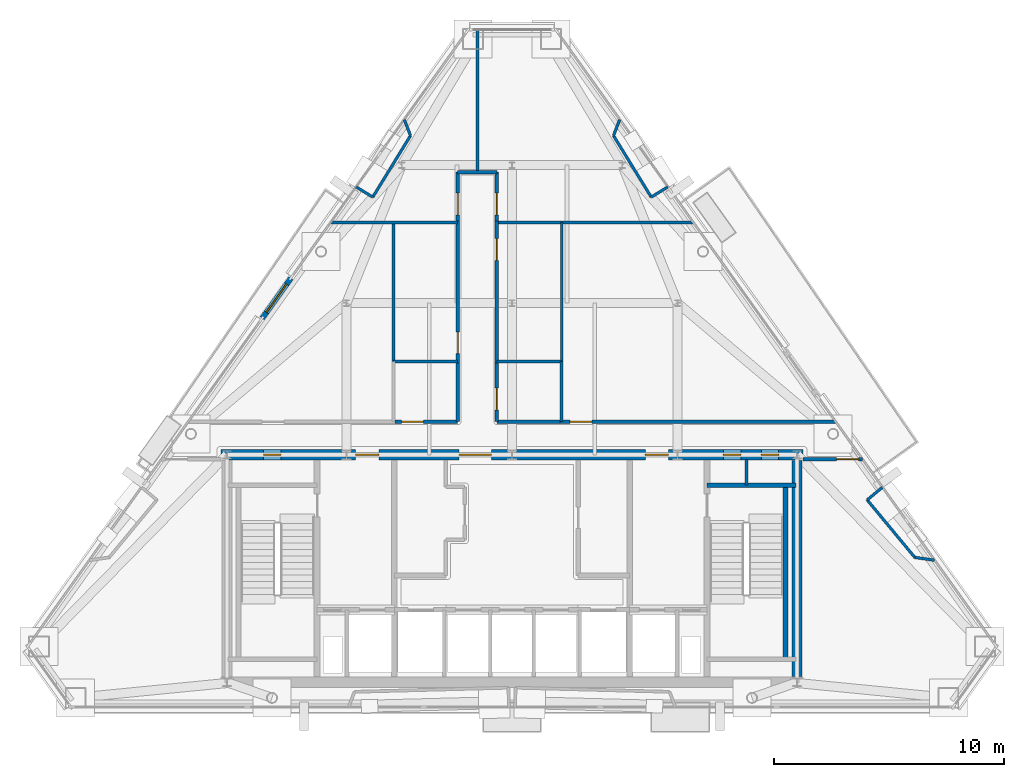
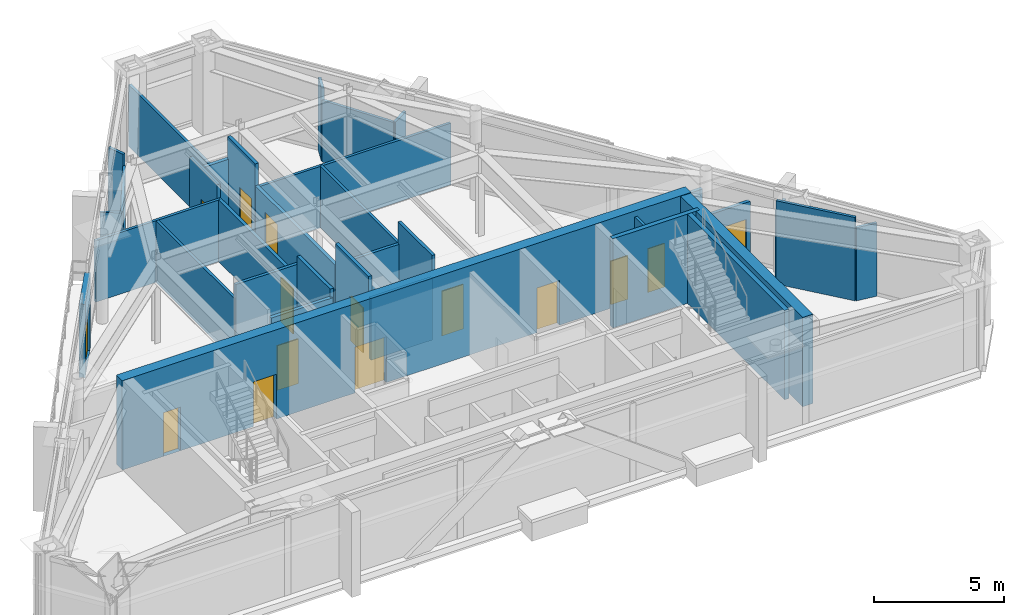
# One storey, part 7 of 10: 34 walls, 15 doors, 15 openings.
"""IFC4 building model written with IfcOpenShell, lengths in metres."""

from ifc_helpers import new_model, si_unit, direction, frame, frame_2d, origin, place, context, subcontext, project, spatial, rectangle, extrude, material, layer, layer_set, type_object, element, fill, save


model = new_model("IFC4")

# Units and contexts
model_context = context("Model", 3, precision=1e-05, world=origin(), true_north=direction((0.0, 1.0)))
body_context = subcontext(model_context, "Body", "Model", "MODEL_VIEW")
ifc_project = project(units=[si_unit("LENGTHUNIT", "METRE"), si_unit("AREAUNIT", "SQUARE_METRE"), si_unit("VOLUMEUNIT", "CUBIC_METRE"), si_unit("PLANEANGLEUNIT", "RADIAN"), si_unit("MASSUNIT", "GRAM", prefix="KILO")], contexts=[model_context])

# Site, building, storey
site_placement = place(None, origin())
site = spatial("IfcSite", under=ifc_project, at=site_placement, CompositionType="ELEMENT")
building_placement = place(site_placement, origin())
building = spatial("IfcBuilding", under=site, at=building_placement, Name="Talgorran Terracotta Tower", CompositionType="ELEMENT")
storey_placement = place(building_placement, frame((0.0, 0.0, 289.199951171875)))
storey = spatial("IfcBuildingStorey", under=building, at=storey_placement, Name="L76", CompositionType="ELEMENT", Elevation=289.199951171875)

# Wall, opening, door
ifc_material_1 = material(Name="Concrete C40/50", Category="concrete")
ifc_layer_1 = layer(ifc_material_1, 0.239990234375, Name="WT_BALCONY_SPAND")
ifc_layer_set_1 = layer_set([ifc_layer_1], Name="Concrete C40/50")
wall_type_1 = type_object("IfcWallType", Name="WT_BALCONY_SPAND", PredefinedType="STANDARD", material=ifc_layer_set_1)
wall_1_placement = place(storey_placement, frame((-9.623291015625, 3.482421875, -0.014892578125), z_axis=(0.0, 0.0, 1.0), x_axis=(-0.581238193719, -0.813733471207, 0.0)))
wall_1 = element("IfcWall", 1, at=wall_1_placement, inside=storey, type_object=wall_type_1, Name="WL-L76-BALP-BAL-NW", PredefinedType="STANDARD", context=body_context, shape_type="SweptSolid", body=[
    extrude(rectangle(XDim=2.14013671875, YDim=0.239990234375, at=frame_2d((1.070068359375, 0.0))), origin(), (0.0, 0.0, 1.0), 3.452880859375),
])
opening_1_placement = place(wall_1_placement, frame((0.320068359375, 0.0, 0.014892578125)))
opening_1 = element("IfcOpeningElement", 2, at=opening_1_placement, cuts=wall_1, Name="Opening D-BAL-L76-2", PredefinedType="OPENING", context=body_context, shape_type="SweptSolid", body=[
    extrude(rectangle(XDim=1.506, YDim=2.203951171875, at=frame_2d((0.75, 1.10205078125))), frame((0.0, 0.1298828125, 0.0), z_axis=(0.0, -1.0, 0.0), x_axis=(1.0, 0.0, 0.0)), (0.0, 0.0, 1.0), 0.260009765625),
])
ifc_material_2 = material(Name="Thermally Broken Aluminium", Category="aluminium")
door_type_1 = type_object("IfcDoorType", Name="DT_BALC_1500", OperationType="SLIDING_TO_RIGHT", PredefinedType="DOOR", material=ifc_material_2)
door_1_placement = place(opening_1_placement, origin())
door_1 = element("IfcDoor", 3, at=door_1_placement, inside=storey, type_object=door_type_1, Name="DR-L76-BAL-BAL-NW", OperationType="SLIDING_TO_RIGHT", OverallHeight=2.199951171875, OverallWidth=1.5, PredefinedType="DOOR", context=body_context, shape_type="SweptSolid", body=[
    extrude(rectangle(XDim=1.5, YDim=2.199951171875, at=frame_2d((0.75, 1.10009765625))), frame((0.0, 0.02490234375, 0.0), z_axis=(0.0, -1.0, 0.0), x_axis=(1.0, 0.0, 0.0)), (0.0, 0.0, 1.0), 0.050048828125),
])
fill(opening_1, door_1)

# Walls
ifc_material_3 = material(Name="Concrete C50/60", Category="concrete")
ifc_layer_2 = layer(ifc_material_3, 0.199951171875, Name="WT_CORE_200")
ifc_layer_set_2 = layer_set([ifc_layer_2], Name="Concrete C50/60")
wall_type_2 = type_object("IfcWallType", Name="WT_CORE_200", PredefinedType="SOLIDWALL", material=ifc_layer_set_2)
wall_2_placement = place(storey_placement, frame((8.47998046875, -5.52001953125, 0.0), z_axis=(0.0, 0.0, 1.0), x_axis=(1.0, 0.0, 0.0)))
element("IfcWall", 4, at=wall_2_placement, inside=storey, type_object=wall_type_2, Name="WL-L76-CW-ST2-N", PredefinedType="SOLIDWALL", context=body_context, shape_type="SweptSolid", body=[
    extrude(rectangle(XDim=3.8701171875, YDim=0.199951171875, at=frame_2d((1.93505859375, 0.0))), origin(), (0.0, 0.0, 1.0), 4.199951171875),
])
wall_3_placement = place(storey_placement, frame((11.89990234375, -13.10009765625, 0.0), z_axis=(0.0, 0.0, 1.0), x_axis=(0.0, 1.0, 0.0)))
element("IfcWall", 5, at=wall_3_placement, inside=storey, type_object=wall_type_2, Name="WL-L76-CW-ST2-E", PredefinedType="SOLIDWALL", context=body_context, shape_type="SweptSolid", body=[
    extrude(rectangle(XDim=7.580078125, YDim=0.199951171875, at=frame_2d((3.7900390625, 0.0))), origin(), (0.0, 0.0, 1.0), 4.199951171875),
])

# Wall, openings, doors
ifc_material_4 = material(Name="Concrete C65/80", Category="concrete")
ifc_layer_3 = layer(ifc_material_4, 0.449951171875, Name="WT_CORE_EXT")
ifc_layer_set_3 = layer_set([ifc_layer_3], Name="Concrete C65/80")
wall_type_3 = type_object("IfcWallType", Name="WT_CORE_EXT", PredefinedType="SHEAR", material=ifc_layer_set_3)
wall_4_placement = place(storey_placement, frame((-12.64990234375, -4.199951171875, 0.0), z_axis=(0.0, 0.0, 1.0), x_axis=(1.0, 0.0, 0.0)))
wall_4 = element("IfcWall", 6, at=wall_4_placement, inside=storey, type_object=wall_type_3, Name="WL-L76-CW-OUT-N", PredefinedType="SHEAR", context=body_context, shape_type="SweptSolid", body=[
    extrude(rectangle(XDim=25.2998046875, YDim=0.449951171875, at=frame_2d((12.64990234375, 0.0))), origin(), (0.0, 0.0, 1.0), 4.199951171875),
])
opening_2_placement = place(wall_4_placement, frame((1.85009765625, 0.0, 0.0)))
opening_2 = element("IfcOpeningElement", 7, at=opening_2_placement, cuts=wall_4, Name="Opening DR-CSN1", PredefinedType="OPENING", context=body_context, shape_type="SweptSolid", body=[
    extrude(rectangle(XDim=0.756, YDim=2.054048828125, at=frame_2d((0.375, 1.027099609375))), frame((0.0, 0.23486328125, 0.0), z_axis=(0.0, -1.0, 0.0), x_axis=(1.0, 0.0, 0.0)), (0.0, 0.0, 1.0), 0.469970703125),
])
opening_3_placement = place(wall_4_placement, frame((21.85009765625, 0.0, 0.0)))
opening_3 = element("IfcOpeningElement", 8, at=opening_3_placement, cuts=wall_4, Name="Opening DR-CSN2", PredefinedType="OPENING", context=body_context, shape_type="SweptSolid", body=[
    extrude(rectangle(XDim=0.756, YDim=2.054048828125, at=frame_2d((0.375, 1.027099609375))), frame((0.0, 0.23486328125, 0.0), z_axis=(0.0, -1.0, 0.0), x_axis=(1.0, 0.0, 0.0)), (0.0, 0.0, 1.0), 0.469970703125),
])
opening_4_placement = place(wall_4_placement, frame((23.5, 0.0, 0.0)))
opening_4 = element("IfcOpeningElement", 9, at=opening_4_placement, cuts=wall_4, Name="Opening DR-CSN3", PredefinedType="OPENING", context=body_context, shape_type="SweptSolid", body=[
    extrude(rectangle(XDim=0.756, YDim=2.054048828125, at=frame_2d((0.375, 1.027099609375))), frame((0.0, 0.23486328125, 0.0), z_axis=(0.0, -1.0, 0.0), x_axis=(1.0, 0.0, 0.0)), (0.0, 0.0, 1.0), 0.469970703125),
])
opening_5_placement = place(wall_4_placement, frame((5.85009765625, 0.0, 0.0)))
opening_5 = element("IfcOpeningElement", 10, at=opening_5_placement, cuts=wall_4, Name="Opening DR-FFLW-N", PredefinedType="OPENING", context=body_context, shape_type="SweptSolid", body=[
    extrude(rectangle(XDim=1.006, YDim=2.10409765625, at=frame_2d((0.5, 1.052001953125))), frame((0.0, 0.23486328125, 0.0), z_axis=(0.0, -1.0, 0.0), x_axis=(1.0, 0.0, 0.0)), (0.0, 0.0, 1.0), 0.469970703125),
])
opening_6_placement = place(wall_4_placement, frame((10.35009765625, 0.0, 0.0)))
opening_6 = element("IfcOpeningElement", 11, at=opening_6_placement, cuts=wall_4, Name="Opening DR-PLL-N", PredefinedType="OPENING", context=body_context, shape_type="SweptSolid", body=[
    extrude(rectangle(XDim=1.40590234375, YDim=2.15390234375, at=frame_2d((0.699951171875, 1.076904296875))), frame((0.0, 0.23486328125, 0.0), z_axis=(0.0, -1.0, 0.0), x_axis=(1.0, 0.0, 0.0)), (0.0, 0.0, 1.0), 0.469970703125),
])
opening_7_placement = place(wall_4_placement, frame((18.449951171875, 0.0, 0.0)))
opening_7 = element("IfcOpeningElement", 12, at=opening_7_placement, cuts=wall_4, Name="Opening DR-FFLE-N", PredefinedType="OPENING", context=body_context, shape_type="SweptSolid", body=[
    extrude(rectangle(XDim=1.006, YDim=2.10409765625, at=frame_2d((0.5, 1.052001953125))), frame((0.0, 0.23486328125, 0.0), z_axis=(0.0, -1.0, 0.0), x_axis=(1.0, 0.0, 0.0)), (0.0, 0.0, 1.0), 0.469970703125),
])
ifc_material_5 = material(Name="Acoustic Glazed Timber", Category="wood")
door_type_2 = type_object("IfcDoorType", Name="DT_DOUBLE_1400", OperationType="DOUBLE_DOOR_SINGLE_SWING", PredefinedType="DOOR", material=ifc_material_5)
door_2_placement = place(opening_6_placement, origin())
door_2 = element("IfcDoor", 13, at=door_2_placement, inside=storey, type_object=door_type_2, Name="DR-PLL-N", OperationType="DOUBLE_DOOR_SINGLE_SWING", OverallHeight=2.14990234375, OverallWidth=1.39990234375, PredefinedType="DOOR", context=body_context, shape_type="SweptSolid", body=[
    extrude(rectangle(XDim=1.39990234375, YDim=2.14990234375, at=frame_2d((0.699951171875, 1.074951171875))), frame((0.0, 0.02490234375, 0.0), z_axis=(0.0, -1.0, 0.0), x_axis=(1.0, 0.0, 0.0)), (0.0, 0.0, 1.0), 0.050048828125),
])
fill(opening_6, door_2)
ifc_material_6 = material(Name="Fire-Rated Pressed Steel", Category="steel")
door_type_3 = type_object("IfcDoorType", Name="DT_FIRE_1000", OperationType="NOTDEFINED", PredefinedType="DOOR", material=ifc_material_6)
door_3_placement = place(opening_5_placement, origin())
door_3 = element("IfcDoor", 14, at=door_3_placement, inside=storey, type_object=door_type_3, Name="DR-FFLW-N", OperationType="SINGLE_SWING_LEFT", OverallHeight=2.10009765625, OverallWidth=1.0, PredefinedType="DOOR", context=body_context, shape_type="SweptSolid", body=[
    extrude(rectangle(XDim=1.0, YDim=2.10009765625, at=frame_2d((0.5, 1.050048828125))), frame((0.0, 0.02490234375, 0.0), z_axis=(0.0, -1.0, 0.0), x_axis=(1.0, 0.0, 0.0)), (0.0, 0.0, 1.0), 0.050048828125),
])
fill(opening_5, door_3)
door_4_placement = place(opening_7_placement, origin())
door_4 = element("IfcDoor", 15, at=door_4_placement, inside=storey, type_object=door_type_3, Name="DR-FFLE-N", OperationType="SINGLE_SWING_RIGHT", OverallHeight=2.10009765625, OverallWidth=1.0, PredefinedType="DOOR", context=body_context, shape_type="SweptSolid", body=[
    extrude(rectangle(XDim=1.0, YDim=2.10009765625, at=frame_2d((0.5, 1.050048828125))), frame((0.0, 0.02490234375, 0.0), z_axis=(0.0, -1.0, 0.0), x_axis=(1.0, 0.0, 0.0)), (0.0, 0.0, 1.0), 0.050048828125),
])
fill(opening_7, door_4)
door_type_4 = type_object("IfcDoorType", Name="DT_RISER_750", OperationType="NOTDEFINED", PredefinedType="DOOR", material=ifc_material_6)
door_5_placement = place(opening_2_placement, origin())
door_5 = element("IfcDoor", 16, at=door_5_placement, inside=storey, type_object=door_type_4, Name="DR-CSN1", OperationType="SINGLE_SWING_LEFT", OverallHeight=2.050048828125, OverallWidth=0.75, PredefinedType="DOOR", context=body_context, shape_type="SweptSolid", body=[
    extrude(rectangle(XDim=0.75, YDim=2.050048828125, at=frame_2d((0.375, 1.02490234375))), frame((0.0, 0.02490234375, 0.0), z_axis=(0.0, -1.0, 0.0), x_axis=(1.0, 0.0, 0.0)), (0.0, 0.0, 1.0), 0.050048828125),
])
fill(opening_2, door_5)
door_6_placement = place(opening_3_placement, origin())
door_6 = element("IfcDoor", 17, at=door_6_placement, inside=storey, type_object=door_type_4, Name="DR-CSN2", OperationType="SINGLE_SWING_LEFT", OverallHeight=2.050048828125, OverallWidth=0.75, PredefinedType="DOOR", context=body_context, shape_type="SweptSolid", body=[
    extrude(rectangle(XDim=0.75, YDim=2.050048828125, at=frame_2d((0.375, 1.02490234375))), frame((0.0, 0.02490234375, 0.0), z_axis=(0.0, -1.0, 0.0), x_axis=(1.0, 0.0, 0.0)), (0.0, 0.0, 1.0), 0.050048828125),
])
fill(opening_3, door_6)
door_7_placement = place(opening_4_placement, origin())
door_7 = element("IfcDoor", 18, at=door_7_placement, inside=storey, type_object=door_type_4, Name="DR-CSN3", OperationType="SINGLE_SWING_RIGHT", OverallHeight=2.050048828125, OverallWidth=0.75, PredefinedType="DOOR", context=body_context, shape_type="SweptSolid", body=[
    extrude(rectangle(XDim=0.75, YDim=2.050048828125, at=frame_2d((0.375, 1.02490234375))), frame((0.0, 0.02490234375, 0.0), z_axis=(0.0, -1.0, 0.0), x_axis=(1.0, 0.0, 0.0)), (0.0, 0.0, 1.0), 0.050048828125),
])
fill(opening_4, door_7)

# Wall
wall_5_placement = place(storey_placement, frame((12.39990234375, -13.85009765625, 0.0), z_axis=(0.0, 0.0, 1.0), x_axis=(0.0, 1.0, 0.0)))
element("IfcWall", 19, at=wall_5_placement, inside=storey, type_object=wall_type_3, Name="WL-L76-CW-OUT-E", PredefinedType="SHEAR", context=body_context, shape_type="SweptSolid", body=[
    extrude(rectangle(XDim=9.400146484375, YDim=0.449951171875, at=frame_2d((4.7001953125, 0.0))), origin(), (0.0, 0.0, 1.0), 4.199951171875),
])

# Wall, opening, door
ifc_material_7 = material(Name="Fire-Rated Steel Stud Plasterboard", Category="steel")
ifc_layer_4 = layer(ifc_material_7, 0.14990234375, Name="WT_FIRE_150")
ifc_layer_set_4 = layer_set([ifc_layer_4], Name="Fire-Rated Steel Stud Plasterboard")
wall_type_4 = type_object("IfcWallType", Name="WT_FIRE_150", PredefinedType="PARTITIONING", material=ifc_layer_set_4)
wall_6_placement = place(storey_placement, frame((2.080078125, -2.760009765625, 0.0), z_axis=(0.0, 0.0, 1.0), x_axis=(1.0, 0.0, 0.0)))
wall_6 = element("IfcWall", 20, at=wall_6_placement, inside=storey, type_object=wall_type_4, Name="WL-L76-W-L76-R09", PredefinedType="PARTITIONING", context=body_context, shape_type="SweptSolid", body=[
    extrude(rectangle(XDim=12.002197265625, YDim=0.14990234375, at=frame_2d((6.0009765625, 0.0))), origin(), (0.0, 0.0, 1.0), 2.89501953125),
])
opening_8_placement = place(wall_6_placement, frame((0.439697265625, 0.0, 0.0)))
opening_8 = element("IfcOpeningElement", 21, at=opening_8_placement, cuts=wall_6, Name="Opening DR-L76-R07", PredefinedType="OPENING", context=body_context, shape_type="SweptSolid", body=[
    extrude(rectangle(XDim=0.955951171875, YDim=2.10409765625, at=frame_2d((0.47509765625, 1.052001953125))), frame((0.0, 0.0849609375, 0.0), z_axis=(0.0, -1.0, 0.0), x_axis=(1.0, 0.0, 0.0)), (0.0, 0.0, 1.0), 0.169921875),
])
ifc_material_8 = material(Name="Fire-Rated Timber Core", Category="wood")
door_type_5 = type_object("IfcDoorType", Name="DT_FIRE_950", OperationType="NOTDEFINED", PredefinedType="DOOR", material=ifc_material_8)
door_8_placement = place(opening_8_placement, origin())
door_8 = element("IfcDoor", 22, at=door_8_placement, inside=storey, type_object=door_type_5, Name="DR-L76-R07", OperationType="SINGLE_SWING_LEFT", OverallHeight=2.10009765625, OverallWidth=0.949951171875, PredefinedType="DOOR", context=body_context, shape_type="SweptSolid", body=[
    extrude(rectangle(XDim=0.949951171875, YDim=2.10009765625, at=frame_2d((0.47509765625, 1.050048828125))), frame((0.0, 0.02490234375, 0.0), z_axis=(0.0, -1.0, 0.0), x_axis=(1.0, 0.0, 0.0)), (0.0, 0.0, 1.0), 0.050048828125),
])
fill(opening_8, door_8)

wall_7_placement = place(storey_placement, frame((-2.360107421875, -0.199951171875, 0.0), z_axis=(0.0, 0.0, 1.0), x_axis=(0.0, 1.0, 0.0)))
wall_7 = element("IfcWall", 23, at=wall_7_placement, inside=storey, type_object=wall_type_4, Name="WL-L76-W-L76-R08", PredefinedType="PARTITIONING", context=body_context, shape_type="SweptSolid", body=[
    extrude(rectangle(XDim=6.159912109375, YDim=0.14990234375, at=frame_2d((3.080078125, 0.0))), origin(), (0.0, 0.0, 1.0), 2.89501953125),
])
opening_9_placement = place(wall_7_placement, frame((0.398193359375, 0.0, 0.0)))
opening_9 = element("IfcOpeningElement", 24, at=opening_9_placement, cuts=wall_7, Name="Opening DR-L76-R06", PredefinedType="OPENING", context=body_context, shape_type="SweptSolid", body=[
    extrude(rectangle(XDim=0.955951171875, YDim=2.10409765625, at=frame_2d((0.47509765625, 1.052001953125))), frame((0.0, 0.0849609375, 0.0), z_axis=(0.0, -1.0, 0.0), x_axis=(1.0, 0.0, 0.0)), (0.0, 0.0, 1.0), 0.169921875),
])
door_9_placement = place(opening_9_placement, origin())
door_9 = element("IfcDoor", 25, at=door_9_placement, inside=storey, type_object=door_type_5, Name="DR-L76-R06", OperationType="SINGLE_SWING_RIGHT", OverallHeight=2.10009765625, OverallWidth=0.949951171875, PredefinedType="DOOR", context=body_context, shape_type="SweptSolid", body=[
    extrude(rectangle(XDim=0.949951171875, YDim=2.10009765625, at=frame_2d((0.47509765625, 1.050048828125))), frame((0.0, 0.02490234375, 0.0), z_axis=(0.0, -1.0, 0.0), x_axis=(1.0, 0.0, 0.0)), (0.0, 0.0, 1.0), 0.050048828125),
])
fill(opening_9, door_9)

wall_8_placement = place(storey_placement, frame((-0.659912109375, -0.199951171875, 0.0), z_axis=(0.0, 0.0, 1.0), x_axis=(0.0, 1.0, 0.0)))
wall_8 = element("IfcWall", 26, at=wall_8_placement, inside=storey, type_object=wall_type_4, Name="WL-L76-W-L76-R10", PredefinedType="PARTITIONING", context=body_context, shape_type="SweptSolid", body=[
    extrude(rectangle(XDim=6.159912109375, YDim=0.14990234375, at=frame_2d((3.080078125, 0.0))), origin(), (0.0, 0.0, 1.0), 2.89501953125),
])
opening_10_placement = place(wall_8_placement, frame((4.453857421875, 0.0, 0.0)))
opening_10 = element("IfcOpeningElement", 27, at=opening_10_placement, cuts=wall_8, Name="Opening DR-L76-R08", PredefinedType="OPENING", context=body_context, shape_type="SweptSolid", body=[
    extrude(rectangle(XDim=0.955951171875, YDim=2.10409765625, at=frame_2d((0.47509765625, 1.052001953125))), frame((0.0, 0.0849609375, 0.0), z_axis=(0.0, -1.0, 0.0), x_axis=(1.0, 0.0, 0.0)), (0.0, 0.0, 1.0), 0.169921875),
])
door_10_placement = place(opening_10_placement, origin())
door_10 = element("IfcDoor", 28, at=door_10_placement, inside=storey, type_object=door_type_5, Name="DR-L76-R08", OperationType="SINGLE_SWING_RIGHT", OverallHeight=2.10009765625, OverallWidth=0.949951171875, PredefinedType="DOOR", context=body_context, shape_type="SweptSolid", body=[
    extrude(rectangle(XDim=0.949951171875, YDim=2.10009765625, at=frame_2d((0.47509765625, 1.050048828125))), frame((0.0, 0.02490234375, 0.0), z_axis=(0.0, -1.0, 0.0), x_axis=(1.0, 0.0, 0.0)), (0.0, 0.0, 1.0), 0.050048828125),
])
fill(opening_10, door_10)

# Wall
wall_9_placement = place(storey_placement, frame((-0.659912109375, -2.760009765625, 0.0), z_axis=(0.0, 0.0, 1.0), x_axis=(1.0, 0.0, 0.0)))
element("IfcWall", 29, at=wall_9_placement, inside=storey, type_object=wall_type_4, Name="WL-L76-W-L76-R04", PredefinedType="PARTITIONING", context=body_context, shape_type="SweptSolid", body=[
    extrude(rectangle(XDim=2.73779296875, YDim=0.14990234375, at=frame_2d((1.368896484375, 0.0))), origin(), (0.0, 0.0, 1.0), 2.89501953125),
])

# Wall, opening, door
wall_10_placement = place(storey_placement, frame((-5.097900390625, -2.760009765625, 0.0), z_axis=(0.0, 0.0, 1.0), x_axis=(1.0, 0.0, 0.0)))
wall_10 = element("IfcWall", 30, at=wall_10_placement, inside=storey, type_object=wall_type_4, Name="WL-L76-W-L76-R05", PredefinedType="PARTITIONING", context=body_context, shape_type="SweptSolid", body=[
    extrude(rectangle(XDim=2.73779296875, YDim=0.14990234375, at=frame_2d((1.368896484375, 0.0))), origin(), (0.0, 0.0, 1.0), 3.53955078125),
])
opening_11_placement = place(wall_10_placement, frame((0.29296875, 0.0, 0.0)))
opening_11 = element("IfcOpeningElement", 31, at=opening_11_placement, cuts=wall_10, Name="Opening DR-L76-R04", PredefinedType="OPENING", context=body_context, shape_type="SweptSolid", body=[
    extrude(rectangle(XDim=0.955951171875, YDim=2.10409765625, at=frame_2d((0.47509765625, 1.052001953125))), frame((0.0, 0.0849609375, 0.0), z_axis=(0.0, -1.0, 0.0), x_axis=(1.0, 0.0, 0.0)), (0.0, 0.0, 1.0), 0.169921875),
])
door_11_placement = place(opening_11_placement, origin())
door_11 = element("IfcDoor", 32, at=door_11_placement, inside=storey, type_object=door_type_5, Name="DR-L76-R04", OperationType="SINGLE_SWING_RIGHT", OverallHeight=2.10009765625, OverallWidth=0.949951171875, PredefinedType="DOOR", context=body_context, shape_type="SweptSolid", body=[
    extrude(rectangle(XDim=0.949951171875, YDim=2.10009765625, at=frame_2d((0.47509765625, 1.050048828125))), frame((0.0, 0.02490234375, 0.0), z_axis=(0.0, -1.0, 0.0), x_axis=(1.0, 0.0, 0.0)), (0.0, 0.0, 1.0), 0.050048828125),
])
fill(opening_11, door_11)

wall_11_placement = place(storey_placement, frame((12.652099609375, -4.39990234375, 0.0), z_axis=(0.0, 0.0, 1.0), x_axis=(1.0, 0.0, 0.0)))
wall_11 = element("IfcWall", 33, at=wall_11_placement, inside=storey, type_object=wall_type_4, Name="WL-L76-W-L76-R02", PredefinedType="PARTITIONING", context=body_context, shape_type="SweptSolid", body=[
    extrude(rectangle(XDim=2.601806640625, YDim=0.14990234375, at=frame_2d((1.30078125, 0.0))), origin(), (0.0, 0.0, 1.0), 2.89501953125),
])
opening_12_placement = place(wall_11_placement, frame((1.47802734375, 0.0, 0.0)))
opening_12 = element("IfcOpeningElement", 34, at=opening_12_placement, cuts=wall_11, Name="Opening DR-L76-R02", PredefinedType="OPENING", context=body_context, shape_type="SweptSolid", body=[
    extrude(rectangle(XDim=0.955951171875, YDim=2.10409765625, at=frame_2d((0.47509765625, 1.052001953125))), frame((0.0, 0.0849609375, 0.0), z_axis=(0.0, -1.0, 0.0), x_axis=(1.0, 0.0, 0.0)), (0.0, 0.0, 1.0), 0.169921875),
])
door_12_placement = place(opening_12_placement, origin())
door_12 = element("IfcDoor", 35, at=door_12_placement, inside=storey, type_object=door_type_5, Name="DR-L76-R02", OperationType="SINGLE_SWING_RIGHT", OverallHeight=2.10009765625, OverallWidth=0.949951171875, PredefinedType="DOOR", context=body_context, shape_type="SweptSolid", body=[
    extrude(rectangle(XDim=0.949951171875, YDim=2.10009765625, at=frame_2d((0.47509765625, 1.050048828125))), frame((0.0, 0.02490234375, 0.0), z_axis=(0.0, -1.0, 0.0), x_axis=(1.0, 0.0, 0.0)), (0.0, 0.0, 1.0), 0.050048828125),
])
fill(opening_12, door_12)

wall_12_placement = place(storey_placement, frame((-0.659912109375, -2.760009765625, 0.0), z_axis=(0.0, 0.0, 1.0), x_axis=(0.0, 1.0, 0.0)))
wall_12 = element("IfcWall", 36, at=wall_12_placement, inside=storey, type_object=wall_type_4, Name="WL-L76-W-L76-R03", PredefinedType="PARTITIONING", context=body_context, shape_type="SweptSolid", body=[
    extrude(rectangle(XDim=2.55810546875, YDim=0.14990234375, at=frame_2d((1.279052734375, 0.0))), origin(), (0.0, 0.0, 1.0), 3.920166015625),
])
opening_13_placement = place(wall_12_placement, frame((0.51220703125, 0.0, 0.0)))
opening_13 = element("IfcOpeningElement", 37, at=opening_13_placement, cuts=wall_12, Name="Opening DR-L76-R03", PredefinedType="OPENING", context=body_context, shape_type="SweptSolid", body=[
    extrude(rectangle(XDim=0.955951171875, YDim=2.10409765625, at=frame_2d((0.47509765625, 1.052001953125))), frame((0.0, 0.0849609375, 0.0), z_axis=(0.0, -1.0, 0.0), x_axis=(1.0, 0.0, 0.0)), (0.0, 0.0, 1.0), 0.169921875),
])
door_13_placement = place(opening_13_placement, origin())
door_13 = element("IfcDoor", 38, at=door_13_placement, inside=storey, type_object=door_type_5, Name="DR-L76-R03", OperationType="SINGLE_SWING_LEFT", OverallHeight=2.10009765625, OverallWidth=0.949951171875, PredefinedType="DOOR", context=body_context, shape_type="SweptSolid", body=[
    extrude(rectangle(XDim=0.949951171875, YDim=2.10009765625, at=frame_2d((0.47509765625, 1.050048828125))), frame((0.0, 0.02490234375, 0.0), z_axis=(0.0, -1.0, 0.0), x_axis=(1.0, 0.0, 0.0)), (0.0, 0.0, 1.0), 0.050048828125),
])
fill(opening_13, door_13)

# Wall
wall_13_placement = place(storey_placement, frame((-2.360107421875, -2.760009765625, 0.0), z_axis=(0.0, 0.0, 1.0), x_axis=(0.0, 1.0, 0.0)))
element("IfcWall", 39, at=wall_13_placement, inside=storey, type_object=wall_type_4, Name="WL-L76-W-L76-R06", PredefinedType="PARTITIONING", context=body_context, shape_type="SweptSolid", body=[
    extrude(rectangle(XDim=2.55810546875, YDim=0.14990234375, at=frame_2d((1.279052734375, 0.0))), origin(), (0.0, 0.0, 1.0), 3.920166015625),
])

# Wall, opening, door
wall_14_placement = place(storey_placement, frame((-2.360107421875, 5.9619140625, 0.0), z_axis=(0.0, 0.0, 1.0), x_axis=(0.0, 1.0, 0.0)))
wall_14 = element("IfcWall", 40, at=wall_14_placement, inside=storey, type_object=wall_type_4, Name="WL-L76-W-L76-R11", PredefinedType="PARTITIONING", context=body_context, shape_type="SweptSolid", body=[
    extrude(rectangle(XDim=2.13818359375, YDim=0.14990234375, at=frame_2d((1.069091796875, 0.0))), origin(), (0.0, 0.0, 1.0), 3.53955078125),
])
opening_14_placement = place(wall_14_placement, frame((0.275390625, 0.0, 0.0)))
opening_14 = element("IfcOpeningElement", 41, at=opening_14_placement, cuts=wall_14, Name="Opening DR-L76-R09", PredefinedType="OPENING", context=body_context, shape_type="SweptSolid", body=[
    extrude(rectangle(XDim=0.955951171875, YDim=2.10409765625, at=frame_2d((0.47509765625, 1.052001953125))), frame((0.0, 0.0849609375, 0.0), z_axis=(0.0, -1.0, 0.0), x_axis=(1.0, 0.0, 0.0)), (0.0, 0.0, 1.0), 0.169921875),
])
door_14_placement = place(opening_14_placement, origin())
door_14 = element("IfcDoor", 42, at=door_14_placement, inside=storey, type_object=door_type_5, Name="DR-L76-R09", OperationType="SINGLE_SWING_LEFT", OverallHeight=2.10009765625, OverallWidth=0.949951171875, PredefinedType="DOOR", context=body_context, shape_type="SweptSolid", body=[
    extrude(rectangle(XDim=0.949951171875, YDim=2.10009765625, at=frame_2d((0.47509765625, 1.050048828125))), frame((0.0, 0.02490234375, 0.0), z_axis=(0.0, -1.0, 0.0), x_axis=(1.0, 0.0, 0.0)), (0.0, 0.0, 1.0), 0.050048828125),
])
fill(opening_14, door_14)

wall_15_placement = place(storey_placement, frame((-0.659912109375, 5.9619140625, 0.0), z_axis=(0.0, 0.0, 1.0), x_axis=(0.0, 1.0, 0.0)))
wall_15 = element("IfcWall", 43, at=wall_15_placement, inside=storey, type_object=wall_type_4, Name="WL-L76-W-L76-R14", PredefinedType="PARTITIONING", context=body_context, shape_type="SweptSolid", body=[
    extrude(rectangle(XDim=2.13818359375, YDim=0.14990234375, at=frame_2d((1.069091796875, 0.0))), origin(), (0.0, 0.0, 1.0), 3.920166015625),
])
opening_15_placement = place(wall_15_placement, frame((0.275390625, 0.0, 0.0)))
opening_15 = element("IfcOpeningElement", 44, at=opening_15_placement, cuts=wall_15, Name="Opening DR-L76-R10", PredefinedType="OPENING", context=body_context, shape_type="SweptSolid", body=[
    extrude(rectangle(XDim=0.955951171875, YDim=2.10409765625, at=frame_2d((0.47509765625, 1.052001953125))), frame((0.0, 0.0849609375, 0.0), z_axis=(0.0, -1.0, 0.0), x_axis=(1.0, 0.0, 0.0)), (0.0, 0.0, 1.0), 0.169921875),
])
door_15_placement = place(opening_15_placement, origin())
door_15 = element("IfcDoor", 45, at=door_15_placement, inside=storey, type_object=door_type_5, Name="DR-L76-R10", OperationType="SINGLE_SWING_RIGHT", OverallHeight=2.10009765625, OverallWidth=0.949951171875, PredefinedType="DOOR", context=body_context, shape_type="SweptSolid", body=[
    extrude(rectangle(XDim=0.949951171875, YDim=2.10009765625, at=frame_2d((0.47509765625, 1.050048828125))), frame((0.0, 0.02490234375, 0.0), z_axis=(0.0, -1.0, 0.0), x_axis=(1.0, 0.0, 0.0)), (0.0, 0.0, 1.0), 0.050048828125),
])
fill(opening_15, door_15)

# Walls
wall_16_placement = place(storey_placement, frame((-2.360107421875, 8.10009765625, 0.0), z_axis=(0.0, 0.0, 1.0), x_axis=(1.0, 0.0, 0.0)))
element("IfcWall", 46, at=wall_16_placement, inside=storey, type_object=wall_type_4, Name="WL-L76-W-L76-R12", PredefinedType="PARTITIONING", context=body_context, shape_type="SweptSolid", body=[
    extrude(rectangle(XDim=1.7001953125, YDim=0.14990234375, at=frame_2d((0.85009765625, 0.0))), origin(), (0.0, 0.0, 1.0), 2.89501953125),
])
ifc_material_9 = material(Name="Insulated Steel Stud Plasterboard", Category="steel")
ifc_layer_5 = layer(ifc_material_9, 0.1201171875, Name="WT_PART_120")
ifc_layer_set_5 = layer_set([ifc_layer_5], Name="Insulated Steel Stud Plasterboard")
wall_type_5 = type_object("IfcWallType", Name="WT_PART_120", PredefinedType="PARTITIONING", material=ifc_layer_set_5)
wall_17_placement = place(storey_placement, frame((10.199951171875, -5.52001953125, 0.0), z_axis=(0.0, 0.0, 1.0), x_axis=(0.0, 1.0, 0.0)))
element("IfcWall", 47, at=wall_17_placement, inside=storey, type_object=wall_type_5, Name="WL-L76-CW-CSE-DIV", PredefinedType="PARTITIONING", context=body_context, shape_type="SweptSolid", body=[
    extrude(rectangle(XDim=1.1201171875, YDim=0.1201171875, at=frame_2d((0.56005859375, 0.0))), origin(), (0.0, 0.0, 1.0), 3.920166015625),
])
wall_18_placement = place(storey_placement, frame((-1.5, 8.10009765625, 0.0), z_axis=(0.0, 0.0, 1.0), x_axis=(0.0, 1.0, 0.0)))
element("IfcWall", 48, at=wall_18_placement, inside=storey, type_object=wall_type_5, Name="WL-L76-W-L76-R25", PredefinedType="PARTITIONING", context=body_context, shape_type="SweptSolid", body=[
    extrude(rectangle(XDim=6.189453125, YDim=0.1201171875, at=frame_2d((3.0947265625, 0.0))), origin(), (0.0, 0.0, 1.0), 2.89501953125),
])
for number, where, z_axis, x_axis, name in (
    (49, (-5.159912109375, -0.199951171875, 0.0), (0.0, 0.0, 1.0), (0.0, 1.0, 0.0), "WL-L76-W-L76-R19"),
    (50, (2.159912109375, -0.199951171875, 0.0), (0.0, 0.0, 1.0), (0.0, 1.0, 0.0), "WL-L76-W-L76-R22"),
):
    element("IfcWall", number, at=place(storey_placement, frame(where, z_axis=z_axis, x_axis=x_axis)), inside=storey, type_object=wall_type_5, Name=name, PredefinedType="PARTITIONING", context=body_context, shape_type="SweptSolid", body=[
        extrude(rectangle(XDim=6.099853515625, YDim=0.1201171875, at=frame_2d((3.0498046875, 0.0))), origin(), (0.0, 0.0, 1.0), 2.89501953125),
    ])
wall_19_placement = place(storey_placement, frame((-0.659912109375, 5.89990234375, 0.0), z_axis=(0.0, 0.0, 1.0), x_axis=(1.0, 0.0, 0.0)))
element("IfcWall", 51, at=wall_19_placement, inside=storey, type_object=wall_type_5, Name="WL-L76-W-L76-R23", PredefinedType="PARTITIONING", context=body_context, shape_type="SweptSolid", body=[
    extrude(rectangle(XDim=8.556396484375, YDim=0.1201171875, at=frame_2d((4.2783203125, 0.0))), origin(), (0.0, 0.0, 1.0), 2.89501953125),
])
wall_20_placement = place(storey_placement, frame((17.5234375, -8.666015625, 0.0), z_axis=(0.0, 0.0, 1.0), x_axis=(-0.63764463782, 0.770330653589, 0.0)))
element("IfcWall", 52, at=wall_20_placement, inside=storey, type_object=wall_type_5, Name="WL-L76-BW-L76-12", PredefinedType="PARTITIONING", context=body_context, shape_type="SweptSolid", body=[
    extrude(rectangle(XDim=3.24755859375, YDim=0.1201171875, at=frame_2d((1.623779296875, 0.0))), origin(), (0.0, 0.0, 1.0), 3.920166015625),
])
for number, where, z_axis, x_axis, name in (
    (53, (-4.415771484375, 9.68212890625, 0.0), (0.0, 0.0, 1.0), (-0.523167839784, -0.852229670579, 0.0), "WL-L76-BW-L76-14"),
    (54, (6.056884765625, 7.0087890625, 0.0), (0.0, 0.0, 1.0), (-0.523167839784, 0.852229670579, 0.0), "WL-L76-BW-L76-17"),
):
    element("IfcWall", number, at=place(storey_placement, frame(where, z_axis=z_axis, x_axis=x_axis)), inside=storey, type_object=wall_type_5, Name=name, PredefinedType="PARTITIONING", context=body_context, shape_type="SweptSolid", body=[
        extrude(rectangle(XDim=3.136962890625, YDim=0.1201171875, at=frame_2d((1.568359375, 0.0))), origin(), (0.0, 0.0, 1.0), 2.89501953125),
    ])
wall_21_placement = place(storey_placement, frame((-7.896484375, 5.89990234375, 0.0), z_axis=(0.0, 0.0, 1.0), x_axis=(1.0, 0.0, 0.0)))
element("IfcWall", 55, at=wall_21_placement, inside=storey, type_object=wall_type_5, Name="WL-L76-W-L76-R21", PredefinedType="PARTITIONING", context=body_context, shape_type="SweptSolid", body=[
    extrude(rectangle(XDim=5.536376953125, YDim=0.1201171875, at=frame_2d((2.76806640625, 0.0))), origin(), (0.0, 0.0, 1.0), 2.89501953125),
])
wall_22_placement = place(storey_placement, frame((18.37451171875, -8.785888671875, 0.0), z_axis=(0.0, 0.0, 1.0), x_axis=(-0.990225952564, 0.139472444839, 0.0)))
element("IfcWall", 56, at=wall_22_placement, inside=storey, type_object=wall_type_5, Name="WL-L76-BW-L76-11", PredefinedType="PARTITIONING", context=body_context, shape_type="SweptSolid", body=[
    extrude(rectangle(XDim=0.859375, YDim=0.1201171875, at=frame_2d((0.4296875, 0.0))), origin(), (0.0, 0.0, 1.0), 3.43798828125),
])
wall_23_placement = place(storey_placement, frame((15.45263671875, -6.164306640625, 0.0), z_axis=(0.0, 0.0, 1.0), x_axis=(0.770181697766, 0.637824546742, 0.0)))
element("IfcWall", 57, at=wall_23_placement, inside=storey, type_object=wall_type_5, Name="WL-L76-BW-L76-10", PredefinedType="PARTITIONING", context=body_context, shape_type="SweptSolid", body=[
    extrude(rectangle(XDim=0.85595703125, YDim=0.1201171875, at=frame_2d((0.427978515625, 0.0))), origin(), (0.0, 0.0, 1.0), 3.43798828125),
])
for number, where, z_axis, x_axis, name in (
    (58, (-6.056884765625, 7.0087890625, 0.0), (0.0, 0.0, 1.0), (-0.852193839214, 0.52322620386, 0.0), "WL-L76-BW-L76-15"),
    (59, (6.776611328125, 7.45068359375, 0.0), (0.0, 0.0, 1.0), (-0.852193839214, -0.52322620386, 0.0), "WL-L76-BW-L76-16"),
):
    element("IfcWall", number, at=place(storey_placement, frame(where, z_axis=z_axis, x_axis=x_axis)), inside=storey, type_object=wall_type_5, Name=name, PredefinedType="PARTITIONING", context=body_context, shape_type="SweptSolid", body=[
        extrude(rectangle(XDim=0.844482421875, YDim=0.1201171875, at=frame_2d((0.42236328125, 0.0))), origin(), (0.0, 0.0, 1.0), 2.89501953125),
    ])
for number, where, z_axis, x_axis, name in (
    (60, (-4.68408203125, 10.3798828125, 0.0), (0.0, 0.0, 1.0), (0.358913425374, -0.933370855066, 0.0), "WL-L76-BW-L76-13"),
    (61, (4.415771484375, 9.68212890625, 0.0), (0.0, 0.0, 1.0), (0.358913425374, 0.933370855066, 0.0), "WL-L76-BW-L76-18"),
):
    element("IfcWall", number, at=place(storey_placement, frame(where, z_axis=z_axis, x_axis=x_axis)), inside=storey, type_object=wall_type_5, Name=name, PredefinedType="PARTITIONING", context=body_context, shape_type="SweptSolid", body=[
        extrude(rectangle(XDim=0.74755859375, YDim=0.1201171875, at=frame_2d((0.373779296875, 0.0))), origin(), (0.0, 0.0, 1.0), 3.43798828125),
    ])
ifc_material_10 = material(Name="Moisture-Resistant Stud Wall")
ifc_layer_6 = layer(ifc_material_10, 0.135009765625, Name="WT_PART_135")
ifc_layer_set_6 = layer_set([ifc_layer_6], Name="Moisture-Resistant Stud Wall")
wall_type_6 = type_object("IfcWallType", Name="WT_PART_135", PredefinedType="PARTITIONING", material=ifc_layer_set_6)
wall_24_placement = place(storey_placement, frame((-0.659912109375, -0.139892578125, 0.0), z_axis=(0.0, 0.0, 1.0), x_axis=(1.0, 0.0, 0.0)))
element("IfcWall", 62, at=wall_24_placement, inside=storey, type_object=wall_type_6, Name="WL-L76-W-L76-R16", PredefinedType="PARTITIONING", context=body_context, shape_type="SweptSolid", body=[
    extrude(rectangle(XDim=2.81982421875, YDim=0.135009765625, at=frame_2d((1.409912109375, 0.0))), origin(), (0.0, 0.0, 1.0), 2.89501953125),
])
wall_25_placement = place(storey_placement, frame((-5.159912109375, -0.139892578125, 0.0), z_axis=(0.0, 0.0, 1.0), x_axis=(1.0, 0.0, 0.0)))
element("IfcWall", 63, at=wall_25_placement, inside=storey, type_object=wall_type_6, Name="WL-L76-W-L76-R18", PredefinedType="PARTITIONING", context=body_context, shape_type="SweptSolid", body=[
    extrude(rectangle(XDim=2.7998046875, YDim=0.135009765625, at=frame_2d((1.39990234375, 0.0))), origin(), (0.0, 0.0, 1.0), 3.53955078125),
])
wall_26_placement = place(storey_placement, frame((2.159912109375, -2.760009765625, 0.0), z_axis=(0.0, 0.0, 1.0), x_axis=(0.0, 1.0, 0.0)))
element("IfcWall", 64, at=wall_26_placement, inside=storey, type_object=wall_type_6, Name="WL-L76-W-L76-R15", PredefinedType="PARTITIONING", context=body_context, shape_type="SweptSolid", body=[
    extrude(rectangle(XDim=2.6201171875, YDim=0.135009765625, at=frame_2d((1.31005859375, 0.0))), origin(), (0.0, 0.0, 1.0), 3.920166015625),
])

save(model, "model.ifc")
